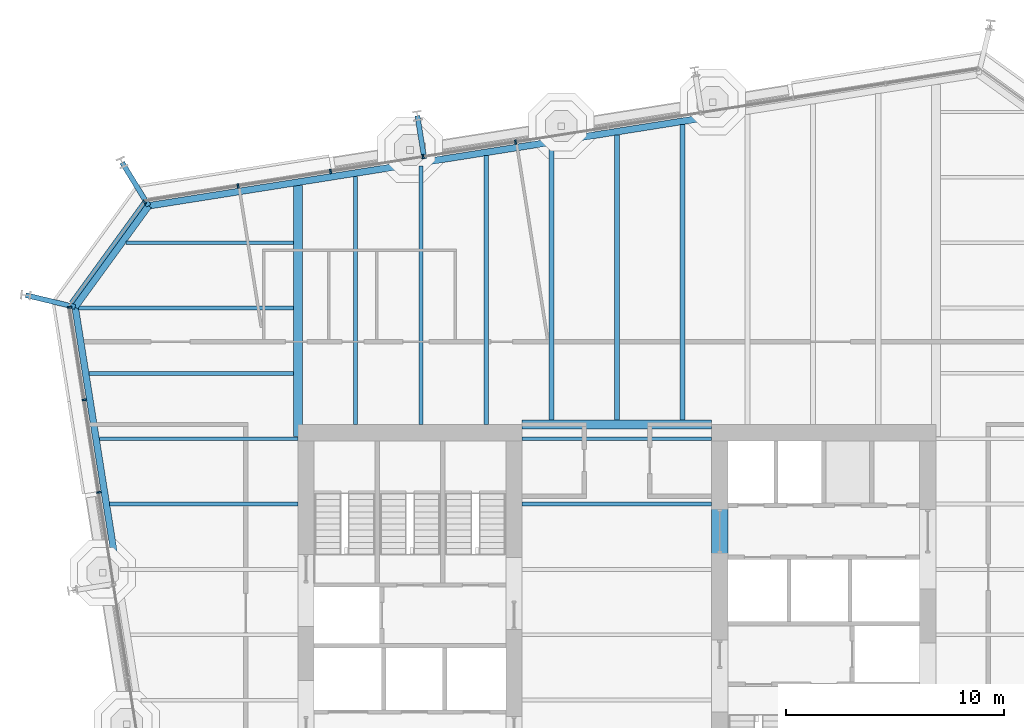
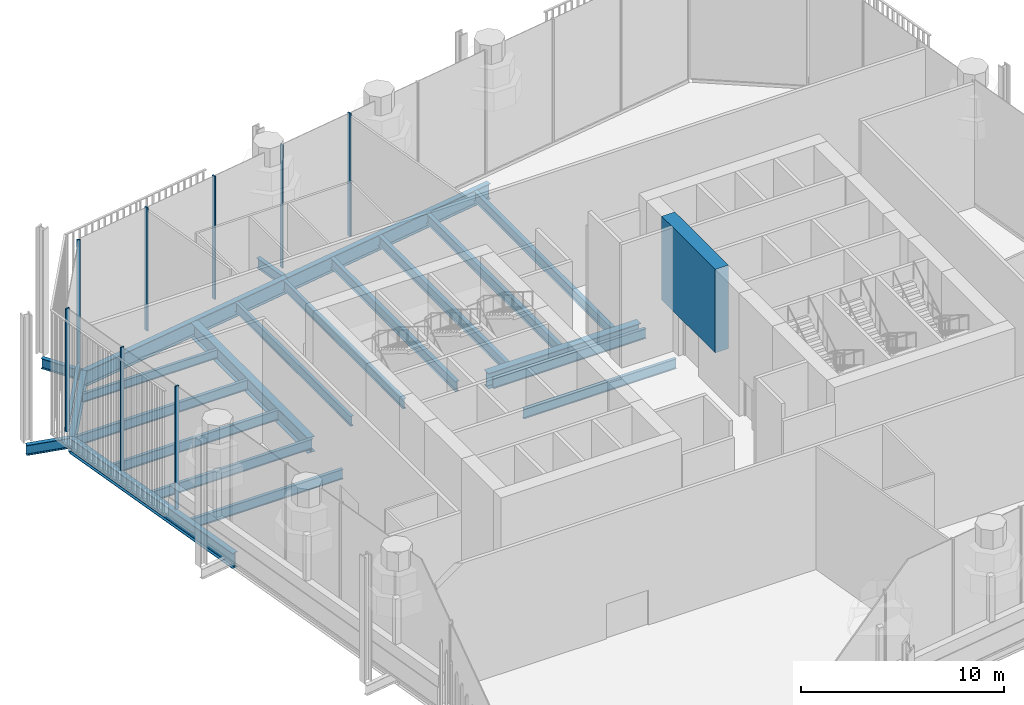
# One storey, part 6 of 19: 23 beams, 9 members, 3 elements without a shape of their own.
"""IFC4 building model written with IfcOpenShell, lengths in metres."""

from ifc_helpers import new_model, si_unit, direction, frame, origin, origin_2d, place, context, subcontext, project, spatial, rectangle, i_section, extrude, material, layer, layer_set, material_profile, profile_set, type_object, element, aggregate, save


model = new_model("IFC4")

# Units and contexts
model_context = context("Model", 3, precision=1e-05, world=origin(), true_north=direction((0.0, 1.0)))
body_context = subcontext(model_context, "Body", "Model", "MODEL_VIEW")
ifc_project = project(units=[si_unit("LENGTHUNIT", "METRE"), si_unit("AREAUNIT", "SQUARE_METRE"), si_unit("VOLUMEUNIT", "CUBIC_METRE"), si_unit("PLANEANGLEUNIT", "RADIAN"), si_unit("MASSUNIT", "GRAM", prefix="KILO")], contexts=[model_context])

# Site, building, storey
site_placement = place(None, origin())
site = spatial("IfcSite", under=ifc_project, at=site_placement, CompositionType="ELEMENT")
building_placement = place(site_placement, origin())
building = spatial("IfcBuilding", under=site, at=building_placement, Name="Millrace Tower", CompositionType="ELEMENT")
storey_placement = place(building_placement, frame((0.0, 0.0, 172.39990234375)))
storey = spatial("IfcBuildingStorey", under=building, at=storey_placement, Name="L39", CompositionType="ELEMENT", Elevation=172.39990234375)

# Curtain wall, members
ifc_material_1 = material(Name="Aluminium and glass", Category="aluminium")
ifc_layer = layer(ifc_material_1, 0.199951171875)
ifc_layer_set = layer_set([ifc_layer], Name="Aluminium and glass")
curtain_wall_type = type_object("IfcCurtainWallType", Name="CW-4 sky garden winter glazing", PredefinedType="NOTDEFINED", material=ifc_layer_set)
placement = place(storey_placement, origin())
curtain_wall_1 = element("IfcCurtainWall", 1, at=placement, inside=storey, type_object=curtain_wall_type, Name="Curtain wall C-F06 L39", PredefinedType="NOTDEFINED")
ifc_material_2 = material(Name="Aluminium", Category="aluminium")
ifc_material_profile_1 = material_profile(ifc_material_2, rectangle(XDim=0.080078125, YDim=0.199951171875, at=origin_2d()))
ifc_profile_set_1 = profile_set([ifc_material_profile_1], Name="Aluminium")
member_type_1 = type_object("IfcMemberType", Name="CW-4 sky garden winter glazing mullion", PredefinedType="MULLION", material=ifc_profile_set_1)
member_1_placement = place(storey_placement, frame((-4.65478515625, 22.616943359375, 0.18017578125), z_axis=(0.0, 0.0, 1.0), x_axis=(-0.98768833929, -0.15643447328, 0.0)))
member_1 = element("IfcMember", 2, at=member_1_placement, type_object=member_type_1, Name="CW4 mullion C-F06.6", PredefinedType="MULLION", context=body_context, shape_type="SweptSolid", body=[
    extrude(rectangle(XDim=0.080078125, YDim=0.199951171875, at=origin_2d()), origin(), (0.0, 0.0, 1.0), 7.419921875),
])
member_2_placement = place(storey_placement, frame((-8.90185546875, 21.944091796875, 0.18017578125), z_axis=(0.0, 0.0, 1.0), x_axis=(-0.98768833929, -0.15643447328, 0.0)))
member_2 = element("IfcMember", 3, at=member_2_placement, type_object=member_type_1, Name="CW4 mullion C-F06.7", PredefinedType="MULLION", context=body_context, shape_type="SweptSolid", body=[
    extrude(rectangle(XDim=0.080078125, YDim=0.199951171875, at=origin_2d()), origin(), (0.0, 0.0, 1.0), 7.419921875),
])
member_3_placement = place(storey_placement, frame((-13.14892578125, 21.271484375, 0.18017578125), z_axis=(0.0, 0.0, 1.0), x_axis=(-0.98768833929, -0.15643447328, 0.0)))
member_3 = element("IfcMember", 4, at=member_3_placement, type_object=member_type_1, Name="CW4 mullion C-F06.8", PredefinedType="MULLION", context=body_context, shape_type="SweptSolid", body=[
    extrude(rectangle(XDim=0.080078125, YDim=0.199951171875, at=origin_2d()), origin(), (0.0, 0.0, 1.0), 7.419921875),
])
member_4_placement = place(storey_placement, frame((-17.39599609375, 20.598876953125, 0.18017578125), z_axis=(0.0, 0.0, 1.0), x_axis=(-0.98768833929, -0.15643447328, 0.0)))
member_4 = element("IfcMember", 5, at=member_4_placement, type_object=member_type_1, Name="CW4 mullion C-F06.9", PredefinedType="MULLION", context=body_context, shape_type="SweptSolid", body=[
    extrude(rectangle(XDim=0.080078125, YDim=0.199951171875, at=origin_2d()), origin(), (0.0, 0.0, 1.0), 7.419921875),
])
aggregate(curtain_wall_1, [member_1, member_2, member_3, member_4])

# Curtain wall, member
curtain_wall_2 = element("IfcCurtainWall", 6, at=placement, inside=storey, type_object=curtain_wall_type, Name="Curtain wall C-F07 L39", PredefinedType="NOTDEFINED")
member_5_placement = place(storey_placement, frame((-21.6923828125, 19.860107421875, 0.18017578125), z_axis=(0.0, 0.0, 1.0), x_axis=(-0.587785269844, -0.809016981623, 0.0)))
member_5 = element("IfcMember", 7, at=member_5_placement, type_object=member_type_1, Name="CW4 mullion C-F07.1", PredefinedType="MULLION", context=body_context, shape_type="SweptSolid", body=[
    extrude(rectangle(XDim=0.080078125, YDim=0.199951171875, at=origin_2d()), origin(), (0.0, 0.0, 1.0), 7.419921875),
])

# Curtain wall, members
curtain_wall_3 = element("IfcCurtainWall", 8, at=placement, inside=storey, type_object=curtain_wall_type, Name="Curtain wall C-F08 L39", PredefinedType="NOTDEFINED")
member_6_placement = place(storey_placement, frame((-25.130126953125, 15.030517578125, 0.18017578125), z_axis=(0.0, 0.0, 1.0), x_axis=(0.15643447328, -0.98768833929, 0.0)))
member_6 = element("IfcMember", 9, at=member_6_placement, type_object=member_type_1, Name="CW4 mullion C-F08.1", PredefinedType="MULLION", context=body_context, shape_type="SweptSolid", body=[
    extrude(rectangle(XDim=0.080078125, YDim=0.199951171875, at=origin_2d()), origin(), (0.0, 0.0, 1.0), 7.419921875),
])
member_7_placement = place(storey_placement, frame((-24.45751953125, 10.783447265625, 0.18017578125), z_axis=(0.0, 0.0, 1.0), x_axis=(0.15643447328, -0.98768833929, 0.0)))
member_7 = element("IfcMember", 10, at=member_7_placement, type_object=member_type_1, Name="CW4 mullion C-F08.2", PredefinedType="MULLION", context=body_context, shape_type="SweptSolid", body=[
    extrude(rectangle(XDim=0.080078125, YDim=0.199951171875, at=origin_2d()), origin(), (0.0, 0.0, 1.0), 7.419921875),
])
member_8_placement = place(storey_placement, frame((-23.784912109375, 6.536376953125, 0.18017578125), z_axis=(0.0, 0.0, 1.0), x_axis=(0.15643447328, -0.98768833929, 0.0)))
member_8 = element("IfcMember", 11, at=member_8_placement, type_object=member_type_1, Name="CW4 mullion C-F08.3", PredefinedType="MULLION", context=body_context, shape_type="SweptSolid", body=[
    extrude(rectangle(XDim=0.080078125, YDim=0.199951171875, at=origin_2d()), origin(), (0.0, 0.0, 1.0), 7.419921875),
])
aggregate(curtain_wall_3, [member_6, member_7, member_8])

# Member
ifc_material_3 = material(Name="Aluminium", Category="aluminium")
ifc_material_profile_2 = material_profile(ifc_material_3, rectangle(XDim=0.199951171875, YDim=0.179931640625, at=origin_2d()))
ifc_profile_set_2 = profile_set([ifc_material_profile_2], Name="Aluminium")
member_type_2 = type_object("IfcMemberType", Name="CW-4 sky garden winter glazing transom", PredefinedType="USERDEFINED", material=ifc_profile_set_2)
member_9_placement = place(storey_placement, frame((-21.7275390625, 19.8115234375, 0.090087890625), z_axis=(-0.587810581339, -0.808998591139, 0.0), x_axis=(0.808998591139, -0.587810581339, 0.0)))
member_9 = element("IfcMember", 12, at=member_9_placement, type_object=member_type_2, Name="CW4 transom C-F07.1", ObjectType="TRANSOM", PredefinedType="USERDEFINED", context=body_context, shape_type="SweptSolid", body=[
    extrude(rectangle(XDim=0.199951171875, YDim=0.179931640625, at=origin_2d()), origin(), (0.0, 0.0, 1.0), 5.6689453125),
])

aggregate(curtain_wall_2, [member_5, member_9])

# Beams
ifc_material_4 = material(Name="Concrete C70", Category="concrete")
ifc_material_profile_3 = material_profile(ifc_material_4, rectangle(XDim=0.75, YDim=5.0400390625, at=origin_2d()))
ifc_profile_set_3 = profile_set([ifc_material_profile_3], Name="Concrete C70")
beam_type_1 = type_object("IfcBeamType", Name="Coupling beam 750 x 5040 Concrete C70, 2000 opening", PredefinedType="BEAM", material=ifc_profile_set_3)
beam_1_placement = place(storey_placement, frame((4.72509765625, 7.39599609375, 4.920166015625), z_axis=(0.0, -1.0, 0.0), x_axis=(1.0, 0.0, 0.0)))
element("IfcBeam", 13, at=beam_1_placement, inside=storey, type_object=beam_type_1, Name="Coupling beam E L39", PredefinedType="BEAM", context=body_context, shape_type="SweptSolid", body=[
    extrude(rectangle(XDim=0.75, YDim=5.0400390625, at=origin_2d()), origin(), (0.0, 0.0, 1.0), 5.2919921875),
])
ifc_material_5 = material(Name="Steel ASTM A992 Grade 50", Category="steel")
ifc_material_profile_4 = material_profile(ifc_material_5, i_section(OverallWidth=0.1650390625, OverallDepth=0.52587890625, WebThickness=0.0087890625, FlangeThickness=0.011474609375, FilletRadius=0.0126953125, at=origin_2d()))
ifc_profile_set_4 = profile_set([ifc_material_profile_4], Name="Steel ASTM A992 Grade 50")
beam_type_2 = type_object("IfcBeamType", Name="Floor beam W21x44", PredefinedType="JOIST", material=ifc_profile_set_4)
beam_2_placement = place(storey_placement, frame((-22.540283203125, 18.0, -0.5126953125), z_axis=(1.0, 0.0, 0.0), x_axis=(0.0, 1.0, 0.0)))
element("IfcBeam", 14, at=beam_2_placement, inside=storey, type_object=beam_type_2, Name="BM-C-L39-S1-S035", PredefinedType="JOIST", context=body_context, shape_type="SweptSolid", body=[
    extrude(i_section(OverallWidth=0.1650390625, OverallDepth=0.52587890625, WebThickness=0.0087890625, FlangeThickness=0.011474609375, FilletRadius=0.0126953125, at=origin_2d()), origin(), (0.0, 0.0, 1.0), 7.6806640625),
])
ifc_material_6 = material(Name="Steel ASTM A992 Grade 50", Category="steel")
ifc_material_profile_5 = material_profile(ifc_material_6, i_section(OverallWidth=0.177978515625, OverallDepth=0.599365234375, WebThickness=0.010009765625, FlangeThickness=0.012939453125, FilletRadius=0.012939453125, at=origin_2d()))
ifc_profile_set_5 = profile_set([ifc_material_profile_5], Name="Steel ASTM A992 Grade 50")
beam_type_3 = type_object("IfcBeamType", Name="Floor beam W24x55", PredefinedType="JOIST", material=ifc_profile_set_5)
beam_3_placement = place(storey_placement, frame((-4.35009765625, 6.0, -0.549560546875), z_axis=(1.0, 0.0, 0.0), x_axis=(0.0, 1.0, 0.0)))
element("IfcBeam", 15, at=beam_3_placement, inside=storey, type_object=beam_type_3, Name="BM-C-L39-S1-S025", PredefinedType="JOIST", context=body_context, shape_type="SweptSolid", body=[
    extrude(i_section(OverallWidth=0.177978515625, OverallDepth=0.599365234375, WebThickness=0.010009765625, FlangeThickness=0.012939453125, FilletRadius=0.012939453125, at=origin_2d()), origin(), (0.0, 0.0, 1.0), 8.7001953125),
])
beam_4_placement = place(storey_placement, frame((-23.28759765625, 6.0, -0.549560546875), z_axis=(1.0, 0.0, 0.0), x_axis=(0.0, 1.0, 0.0)))
element("IfcBeam", 16, at=beam_4_placement, inside=storey, type_object=beam_type_3, Name="BM-C-L39-S1-S026", PredefinedType="JOIST", context=body_context, shape_type="SweptSolid", body=[
    extrude(i_section(OverallWidth=0.177978515625, OverallDepth=0.599365234375, WebThickness=0.010009765625, FlangeThickness=0.012939453125, FilletRadius=0.012939453125, at=origin_2d()), origin(), (0.0, 0.0, 1.0), 8.6376953125),
])
beam_5_placement = place(storey_placement, frame((-4.35009765625, 9.0, -0.549560546875), z_axis=(1.0, 0.0, 0.0), x_axis=(0.0, 1.0, 0.0)))
element("IfcBeam", 17, at=beam_5_placement, inside=storey, type_object=beam_type_3, Name="BM-C-L39-S1-S028", PredefinedType="JOIST", context=body_context, shape_type="SweptSolid", body=[
    extrude(i_section(OverallWidth=0.177978515625, OverallDepth=0.599365234375, WebThickness=0.010009765625, FlangeThickness=0.012939453125, FilletRadius=0.012939453125, at=origin_2d()), origin(), (0.0, 0.0, 1.0), 8.7001953125),
])
beam_6_placement = place(storey_placement, frame((-23.7626953125, 9.0, -0.549560546875), z_axis=(1.0, 0.0, 0.0), x_axis=(0.0, 1.0, 0.0)))
element("IfcBeam", 18, at=beam_6_placement, inside=storey, type_object=beam_type_3, Name="BM-C-L39-S1-S029", PredefinedType="JOIST", context=body_context, shape_type="SweptSolid", body=[
    extrude(i_section(OverallWidth=0.177978515625, OverallDepth=0.599365234375, WebThickness=0.010009765625, FlangeThickness=0.012939453125, FilletRadius=0.012939453125, at=origin_2d()), origin(), (0.0, 0.0, 1.0), 9.11279296875),
])
beam_7_placement = place(storey_placement, frame((-24.23779296875, 12.0, -0.549560546875), z_axis=(1.0, 0.0, 0.0), x_axis=(0.0, 1.0, 0.0)))
element("IfcBeam", 19, at=beam_7_placement, inside=storey, type_object=beam_type_3, Name="BM-C-L39-S1-S031", PredefinedType="JOIST", context=body_context, shape_type="SweptSolid", body=[
    extrude(i_section(OverallWidth=0.177978515625, OverallDepth=0.599365234375, WebThickness=0.010009765625, FlangeThickness=0.012939453125, FilletRadius=0.012939453125, at=origin_2d()), origin(), (0.0, 0.0, 1.0), 9.378173828125),
])
beam_8_placement = place(storey_placement, frame((-24.712890625, 15.0, -0.549560546875), z_axis=(1.0, 0.0, 0.0), x_axis=(0.0, 1.0, 0.0)))
element("IfcBeam", 20, at=beam_8_placement, inside=storey, type_object=beam_type_3, Name="BM-C-L39-S1-S033", PredefinedType="JOIST", context=body_context, shape_type="SweptSolid", body=[
    extrude(i_section(OverallWidth=0.177978515625, OverallDepth=0.599365234375, WebThickness=0.010009765625, FlangeThickness=0.012939453125, FilletRadius=0.012939453125, at=origin_2d()), origin(), (0.0, 0.0, 1.0), 9.853271484375),
])
ifc_material_7 = material(Name="Steel ASTM A992 Grade 50", Category="steel")
ifc_material_profile_6 = material_profile(ifc_material_7, i_section(OverallWidth=0.1787109375, OverallDepth=0.60205078125, WebThickness=0.010986328125, FlangeThickness=0.014892578125, FilletRadius=0.0126953125, at=origin_2d()))
ifc_profile_set_6 = profile_set([ifc_material_profile_6], Name="Steel ASTM A992 Grade 50")
beam_type_4 = type_object("IfcBeamType", Name="Floor beam W24x62", PredefinedType="JOIST", material=ifc_profile_set_6)
beam_9_placement = place(storey_placement, frame((-12.0, 9.64990234375, -0.55078125), z_axis=(0.0, 1.0, 0.0), x_axis=(-1.0, 0.0, 0.0)))
element("IfcBeam", 21, at=beam_9_placement, inside=storey, type_object=beam_type_4, Name="BM-C-L39-S1-S039", PredefinedType="JOIST", context=body_context, shape_type="SweptSolid", body=[
    extrude(i_section(OverallWidth=0.1787109375, OverallDepth=0.60205078125, WebThickness=0.010986328125, FlangeThickness=0.014892578125, FilletRadius=0.0126953125, at=origin_2d()), origin(), (0.0, 0.0, 1.0), 11.39111328125),
])
beam_10_placement = place(storey_placement, frame((-9.0, 9.64990234375, -0.55078125), z_axis=(0.0, 1.0, 0.0), x_axis=(-1.0, 0.0, 0.0)))
element("IfcBeam", 22, at=beam_10_placement, inside=storey, type_object=beam_type_4, Name="BM-C-L39-S1-S041", PredefinedType="JOIST", context=body_context, shape_type="SweptSolid", body=[
    extrude(i_section(OverallWidth=0.1787109375, OverallDepth=0.60205078125, WebThickness=0.010986328125, FlangeThickness=0.014892578125, FilletRadius=0.0126953125, at=origin_2d()), origin(), (0.0, 0.0, 1.0), 11.866455078125),
])
ifc_material_8 = material(Name="Steel ASTM A992 Grade 50", Category="steel")
ifc_material_profile_7 = material_profile(ifc_material_8, i_section(OverallWidth=0.228271484375, OverallDepth=0.607177734375, WebThickness=0.01123046875, FlangeThickness=0.017333984375, FilletRadius=0.0126953125, at=origin_2d()))
ifc_profile_set_7 = profile_set([ifc_material_profile_7], Name="Steel ASTM A992 Grade 50")
beam_type_5 = type_object("IfcBeamType", Name="Floor beam W24x76", PredefinedType="JOIST", material=ifc_profile_set_7)
beam_11_placement = place(storey_placement, frame((-6.0, 9.64990234375, -0.553466796875), z_axis=(0.0, 1.0, 0.0), x_axis=(-1.0, 0.0, 0.0)))
element("IfcBeam", 23, at=beam_11_placement, inside=storey, type_object=beam_type_5, Name="BM-C-L39-S1-S043", PredefinedType="JOIST", context=body_context, shape_type="SweptSolid", body=[
    extrude(i_section(OverallWidth=0.228271484375, OverallDepth=0.607177734375, WebThickness=0.01123046875, FlangeThickness=0.017333984375, FilletRadius=0.0126953125, at=origin_2d()), origin(), (0.0, 0.0, 1.0), 12.341552734375),
])
beam_12_placement = place(storey_placement, frame((-3.0, 9.859619140625, -0.553466796875), z_axis=(0.0, 1.0, 0.0), x_axis=(-1.0, 0.0, 0.0)))
element("IfcBeam", 24, at=beam_12_placement, inside=storey, type_object=beam_type_5, Name="BM-C-L39-S1-S045", PredefinedType="JOIST", context=body_context, shape_type="SweptSolid", body=[
    extrude(i_section(OverallWidth=0.228271484375, OverallDepth=0.607177734375, WebThickness=0.01123046875, FlangeThickness=0.017333984375, FilletRadius=0.0126953125, at=origin_2d()), origin(), (0.0, 0.0, 1.0), 12.60693359375),
])
beam_13_placement = place(storey_placement, frame((0.0, 9.859619140625, -0.553466796875), z_axis=(0.0, 1.0, 0.0), x_axis=(-1.0, 0.0, 0.0)))
element("IfcBeam", 25, at=beam_13_placement, inside=storey, type_object=beam_type_5, Name="BM-C-L39-S1-S047", PredefinedType="JOIST", context=body_context, shape_type="SweptSolid", body=[
    extrude(i_section(OverallWidth=0.228271484375, OverallDepth=0.607177734375, WebThickness=0.01123046875, FlangeThickness=0.017333984375, FilletRadius=0.0126953125, at=origin_2d()), origin(), (0.0, 0.0, 1.0), 13.08203125),
])
beam_14_placement = place(storey_placement, frame((3.0, 9.859619140625, -0.553466796875), z_axis=(0.0, 1.0, 0.0), x_axis=(-1.0, 0.0, 0.0)))
element("IfcBeam", 26, at=beam_14_placement, inside=storey, type_object=beam_type_5, Name="BM-C-L39-S1-S049", PredefinedType="JOIST", context=body_context, shape_type="SweptSolid", body=[
    extrude(i_section(OverallWidth=0.228271484375, OverallDepth=0.607177734375, WebThickness=0.01123046875, FlangeThickness=0.017333984375, FilletRadius=0.0126953125, at=origin_2d()), origin(), (0.0, 0.0, 1.0), 13.55712890625),
])
ifc_material_9 = material(Name="Steel ASTM A992 Grade 50", Category="steel")
ifc_material_profile_8 = material_profile(ifc_material_9, i_section(OverallWidth=0.419189453125, OverallDepth=0.927001953125, WebThickness=0.019287109375, FlangeThickness=0.031982421875, FilletRadius=0.024169921875, at=origin_2d()))
ifc_profile_set_8 = profile_set([ifc_material_profile_8], Name="Steel ASTM A992 Grade 50")
beam_type_6 = type_object("IfcBeamType", Name="Girder short span W36x231", PredefinedType="BEAM", material=ifc_profile_set_8)
beam_15_placement = place(storey_placement, frame((-4.35009765625, 9.64990234375, -0.71337890625), z_axis=(1.0, 0.0, 0.0), x_axis=(0.0, 1.0, 0.0)))
element("IfcBeam", 27, at=beam_15_placement, inside=storey, type_object=beam_type_6, Name="BM-C-L39-S1-G061", PredefinedType="BEAM", context=body_context, shape_type="SweptSolid", body=[
    extrude(i_section(OverallWidth=0.419189453125, OverallDepth=0.927001953125, WebThickness=0.019287109375, FlangeThickness=0.031982421875, FilletRadius=0.024169921875, at=origin_2d()), origin(), (0.0, 0.0, 1.0), 8.7001953125),
])
beam_16_placement = place(storey_placement, frame((-14.64990234375, 9.090087890625, -0.71337890625), z_axis=(0.0, 1.0, 0.0), x_axis=(-1.0, 0.0, 0.0)))
element("IfcBeam", 28, at=beam_16_placement, inside=storey, type_object=beam_type_6, Name="BM-C-L39-S1-G057", PredefinedType="BEAM", context=body_context, shape_type="SweptSolid", body=[
    extrude(i_section(OverallWidth=0.419189453125, OverallDepth=0.927001953125, WebThickness=0.019287109375, FlangeThickness=0.031982421875, FilletRadius=0.024169921875, at=origin_2d()), origin(), (0.0, 0.0, 1.0), 11.523193359375),
])
ifc_material_10 = material(Name="Steel ASTM A992 Grade 50", Category="steel")
ifc_material_profile_9 = material_profile(ifc_material_10, i_section(OverallWidth=0.23046875, OverallDepth=0.6171875, WebThickness=0.01318359375, FlangeThickness=0.022216796875, FilletRadius=0.012939453125, at=origin_2d()))
ifc_profile_set_9 = profile_set([ifc_material_profile_9], Name="Steel ASTM A992 Grade 50")
beam_type_7 = type_object("IfcBeamType", Name="Link beam W24x94", PredefinedType="BEAM", material=ifc_profile_set_9)
for number, where, z_axis, x_axis, name in (
    (29, (-24.8759765625, 15.046630859375, -0.55859375), (-0.972367333652, 0.233456138164, 0.0), (-0.233456138164, -0.972367333652, 0.0), "LNK-C-L39-S1-04"),
    (30, (-21.5009765625, 19.69189453125, -0.55859375), (-0.522512938711, 0.852631355792, 0.0), (-0.852631355792, -0.522512938711, 0.0), "LNK-C-L39-S1-05"),
):
    element("IfcBeam", number, at=place(storey_placement, frame(where, z_axis=z_axis, x_axis=x_axis)), inside=storey, type_object=beam_type_7, Name=name, PredefinedType="BEAM", context=body_context, shape_type="SweptSolid", body=[
        extrude(i_section(OverallWidth=0.23046875, OverallDepth=0.6171875, WebThickness=0.01318359375, FlangeThickness=0.022216796875, FilletRadius=0.012939453125, at=origin_2d()), origin(), (0.0, 0.0, 1.0), 2.3310546875),
    ])
beam_17_placement = place(storey_placement, frame((-8.8466796875, 21.8515625, -0.55859375), z_axis=(-0.156476509441, 0.987681680499, 0.0), x_axis=(-0.987681680499, -0.156476509441, 0.0)))
element("IfcBeam", 31, at=beam_17_placement, inside=storey, type_object=beam_type_7, Name="LNK-C-L39-S1-06", PredefinedType="BEAM", context=body_context, shape_type="SweptSolid", body=[
    extrude(i_section(OverallWidth=0.23046875, OverallDepth=0.6171875, WebThickness=0.01318359375, FlangeThickness=0.022216796875, FilletRadius=0.012939453125, at=origin_2d()), origin(), (0.0, 0.0, 1.0), 2.000244140625),
])
ifc_material_11 = material(Name="Steel ASTM A992 Grade 50", Category="steel")
ifc_material_profile_10 = material_profile(ifc_material_11, i_section(OverallWidth=0.307373046875, OverallDepth=0.927001953125, WebThickness=0.01953125, FlangeThickness=0.031982421875, FilletRadius=0.01904296875, at=origin_2d()))
ifc_profile_set_10 = profile_set([ifc_material_profile_10], Name="Steel ASTM A992 Grade 50")
beam_type_8 = type_object("IfcBeamType", Name="Ring beam medium span W36x194", PredefinedType="SPANDREL", material=ifc_profile_set_10)
for number, where, z_axis, x_axis, name in (
    (32, (-22.867919921875, 2.368408203125, -0.71337890625), (-0.156436246498, 0.987688058438, 0.0), (-0.987688058438, -0.156436246498, 0.0), "RNG-C-L39-S1-03"),
    (33, (-21.5009765625, 19.69189453125, -0.71337890625), (0.987688058438, 0.156436246498, 0.0), (-0.156436246498, 0.987688058438, 0.0), "RNG-C-L39-S1-05"),
):
    element("IfcBeam", number, at=place(storey_placement, frame(where, z_axis=z_axis, x_axis=x_axis)), inside=storey, type_object=beam_type_8, Name=name, PredefinedType="SPANDREL", context=body_context, shape_type="SweptSolid", body=[
        extrude(i_section(OverallWidth=0.307373046875, OverallDepth=0.927001953125, WebThickness=0.01953125, FlangeThickness=0.031982421875, FilletRadius=0.01904296875, at=origin_2d()), origin(), (0.0, 0.0, 1.0), 12.836181640625),
    ])
beam_18_placement = place(storey_placement, frame((-8.82275390625, 21.699951171875, -0.71337890625), z_axis=(0.987687659758, 0.156438763615, 0.0), x_axis=(-0.156438763615, 0.987687659758, 0.0)))
element("IfcBeam", 34, at=beam_18_placement, inside=storey, type_object=beam_type_8, Name="RNG-C-L39-S1-06", PredefinedType="SPANDREL", context=body_context, shape_type="SweptSolid", body=[
    extrude(i_section(OverallWidth=0.307373046875, OverallDepth=0.927001953125, WebThickness=0.01953125, FlangeThickness=0.031982421875, FilletRadius=0.01904296875, at=origin_2d()), origin(), (0.0, 0.0, 1.0), 12.900146484375),
])
ifc_material_12 = material(Name="Steel ASTM A992 Grade 50", Category="steel")
ifc_material_profile_11 = material_profile(ifc_material_12, i_section(OverallWidth=0.307373046875, OverallDepth=0.927001953125, WebThickness=0.01953125, FlangeThickness=0.031982421875, FilletRadius=0.01904296875, at=origin_2d()))
ifc_profile_set_11 = profile_set([ifc_material_profile_11], Name="Steel ASTM A992 Grade 50")
beam_type_9 = type_object("IfcBeamType", Name="Ring beam short span W36x194", PredefinedType="SPANDREL", material=ifc_profile_set_11)
beam_19_placement = place(storey_placement, frame((-24.8759765625, 15.046630859375, -0.71337890625), z_axis=(0.587787348381, 0.809015471473, 0.0), x_axis=(-0.809015471473, 0.587787348381, 0.0)))
element("IfcBeam", 35, at=beam_19_placement, inside=storey, type_object=beam_type_9, Name="RNG-C-L39-S1-04", PredefinedType="SPANDREL", context=body_context, shape_type="SweptSolid", body=[
    extrude(i_section(OverallWidth=0.307373046875, OverallDepth=0.927001953125, WebThickness=0.01953125, FlangeThickness=0.031982421875, FilletRadius=0.01904296875, at=origin_2d()), origin(), (0.0, 0.0, 1.0), 5.741943359375),
])

save(model, "model.ifc")
